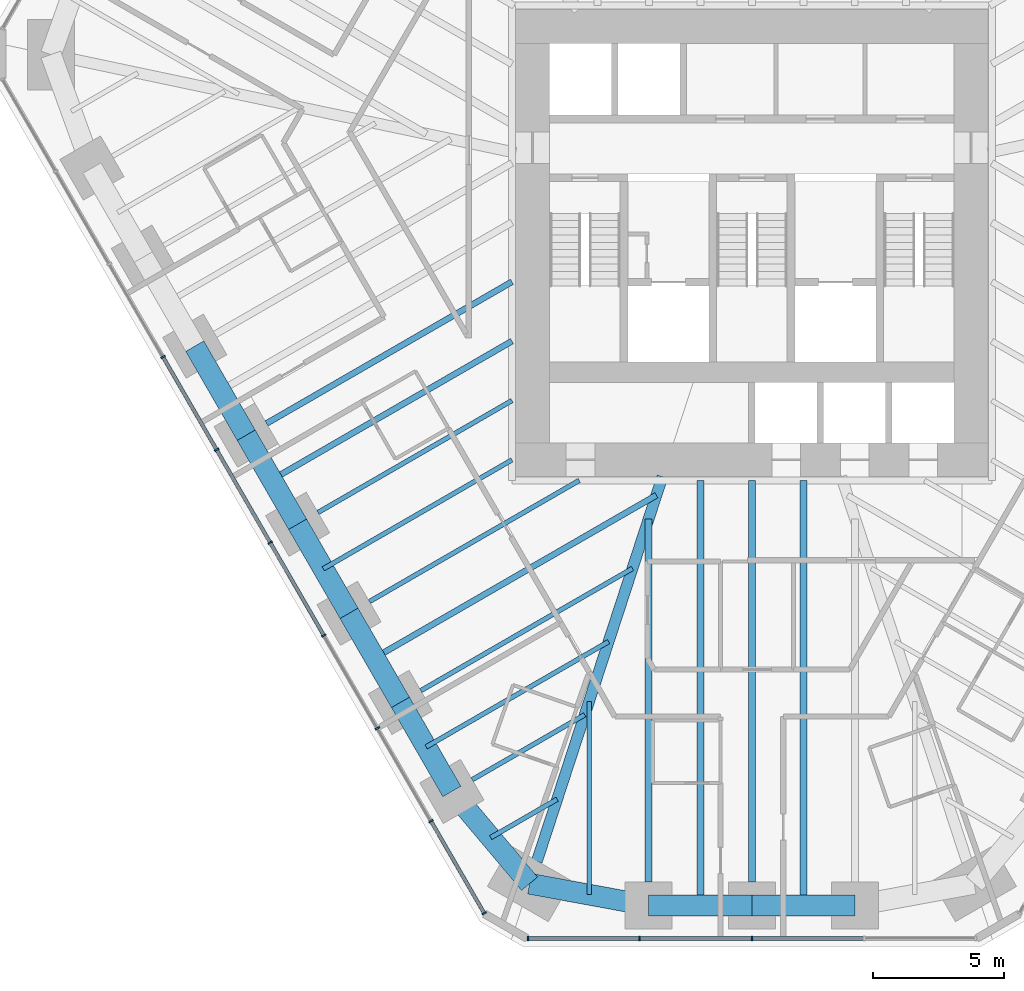
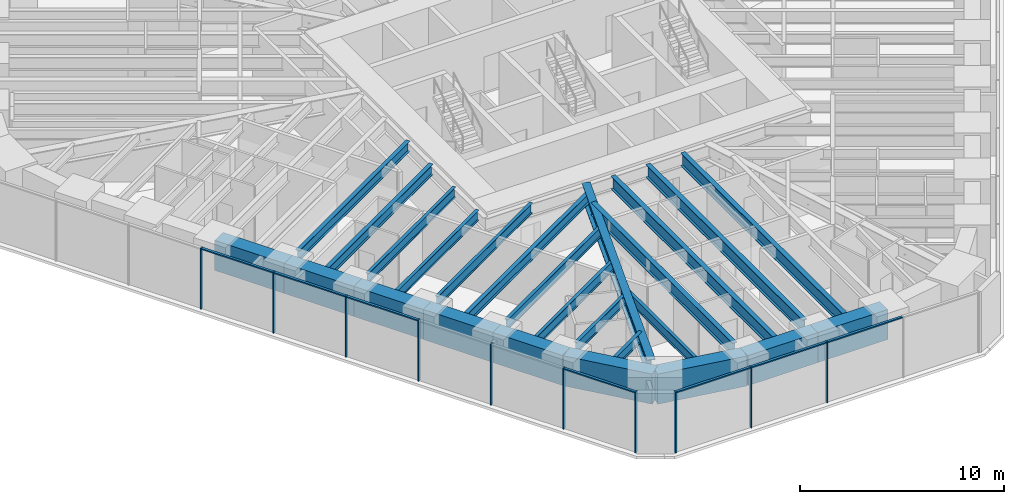
# One storey, part 2 of 16: 25 beams, 17 members, 2 elements without a shape of their own.
"""IFC4 building model written with IfcOpenShell, lengths in metres."""

import ifcopenshell
import ifcopenshell.guid

model = None  # the IFC model being written
_history = None  # IfcOwnerHistory: only IFC2X3 demands one
_inside = {}  # id of a spatial element -> (the spatial element, [elements in it])
_under = {}  # id of a project, library or spatial element -> (it, [spatial elements below it])
_declared = {}  # id of a project -> (the project, [libraries it declares])
_typed = {}  # id of a type object -> (the type object, [elements of that type])
_made_of = {}  # id of a material, layer set ... -> (it, [elements and type objects made of it])


def new_model(schema):
    """Start an empty IFC model of exactly this schema.

    Asked for "IFC4X3", IfcOpenShell would pick the latest addendum, in which some entities
    have other attributes; the version numbers below select the first issue.
    IFC2X3 requires an IfcOwnerHistory on every rooted entity: one is made here for all.
    """
    global model, _history
    if schema == "IFC4X3":
        model = ifcopenshell.file(schema_version=(4, 3, 0, 0))
    else:
        model = ifcopenshell.file(schema=schema)
    _inside.clear()
    _under.clear()
    _declared.clear()
    _typed.clear()
    _made_of.clear()
    _history = None
    if model.schema == "IFC2X3":
        org = make("IfcOrganization", Name="unknown")
        user = make(
            "IfcPersonAndOrganization",
            ThePerson=make("IfcPerson", FamilyName="unknown"),
            TheOrganization=org,
        )
        app = make(
            "IfcApplication",
            ApplicationDeveloper=org,
            Version="unknown",
            ApplicationFullName="unknown",
            ApplicationIdentifier="unknown",
        )
        _history = make(
            "IfcOwnerHistory",
            OwningUser=user,
            OwningApplication=app,
            ChangeAction="ADDED",
            CreationDate=0,
        )
    return model


def make(cls, **values):
    """One entity of the class cls with the attributes given. An attribute that is None is left unset."""
    return model.create_entity(
        cls, **{name: value for name, value in values.items() if value is not None}
    )


def rooted(cls, **values):
    """An entity with a GlobalId (a new one), such as an element, a storey or a relation."""
    return make(cls, GlobalId=ifcopenshell.guid.new(), OwnerHistory=_history, **values)


def si_unit(unit_type, name, prefix=None):
    """IfcSIUnit, for example si_unit("LENGTHUNIT", "METRE", prefix="MILLI")."""
    return make("IfcSIUnit", UnitType=unit_type, Prefix=prefix, Name=name)


def assignment(units):
    """IfcUnitAssignment: the units of a project."""
    return None if units is None else make("IfcUnitAssignment", Units=units)


def point(xyz):
    """IfcCartesianPoint."""
    return None if xyz is None else make("IfcCartesianPoint", Coordinates=xyz)


def direction(xyz):
    """IfcDirection."""
    return None if xyz is None else make("IfcDirection", DirectionRatios=xyz)


def frame(location, z_axis=None, x_axis=None):
    """IfcAxis2Placement3D, a coordinate frame: its origin and axes. An axis left out is left unset."""
    return make(
        "IfcAxis2Placement3D",
        Location=point(location),
        Axis=direction(z_axis),
        RefDirection=direction(x_axis),
    )


def frame_2d(location, x_axis=None):
    """IfcAxis2Placement2D, a coordinate frame in the plane: its origin and x axis."""
    return make(
        "IfcAxis2Placement2D", Location=point(location), RefDirection=direction(x_axis)
    )


def origin():
    """The frame at (0, 0, 0) with its axes left unset."""
    return frame((0.0, 0.0, 0.0))


def origin_2d():
    """The frame at (0, 0) in the plane with its x axis left unset."""
    return frame_2d((0.0, 0.0))


def place(relative_to, where):
    """IfcLocalPlacement: puts the frame where relative to a parent placement (None: the world)."""
    return make(
        "IfcLocalPlacement", PlacementRelTo=relative_to, RelativePlacement=where
    )


def context(
    kind, dimensions, precision=None, world=None, true_north=None, identifier=None
):
    """IfcGeometricRepresentationContext, for example the 3D "Model" context."""
    return make(
        "IfcGeometricRepresentationContext",
        ContextIdentifier=identifier,
        ContextType=kind,
        CoordinateSpaceDimension=dimensions,
        Precision=precision,
        WorldCoordinateSystem=world,
        TrueNorth=true_north,
    )


def subcontext(parent, identifier, kind, view, scale=None):
    """IfcGeometricRepresentationSubContext, for example "Body" below "Model"."""
    return make(
        "IfcGeometricRepresentationSubContext",
        ContextIdentifier=identifier,
        ContextType=kind,
        ParentContext=parent,
        TargetScale=scale,
        TargetView=view,
    )


def project(units=None, contexts=None):
    """IfcProject with its units and contexts."""
    return rooted(
        "IfcProject",
        Name="project",
        RepresentationContexts=contexts,
        UnitsInContext=assignment(units),
    )


def spatial(cls, under=None, at=None, **own):
    """A site, building, storey or space (cls), placed at a placement, below another one or the project."""
    s = rooted(cls, ObjectPlacement=at, **own)
    if under is not None:
        _under.setdefault(under.id(), (under, []))[1].append(s)
    return s


def profile(cls, at=None, kind="AREA", **sizes):
    """A parametric profile (cls). Its sizes go by their IFC names, for example OverallWidth=200.0."""
    return make(cls, ProfileType=kind, Position=at, **sizes)


def rectangle(**sizes):
    """IfcRectangleProfileDef."""
    return profile("IfcRectangleProfileDef", **sizes)


def i_section(**sizes):
    """IfcIShapeProfileDef."""
    return profile("IfcIShapeProfileDef", **sizes)


def extrude(swept, where, along, depth):
    """IfcExtrudedAreaSolid: the profile swept, set in the frame where, extruded along a direction by depth."""
    return make(
        "IfcExtrudedAreaSolid",
        SweptArea=swept,
        Position=where,
        ExtrudedDirection=direction(along),
        Depth=depth,
    )


def shape(context_of_items, identifier, shape_type, items):
    """IfcShapeRepresentation: the items that make up one representation, for example the "Body"."""
    return make(
        "IfcShapeRepresentation",
        ContextOfItems=context_of_items,
        RepresentationIdentifier=identifier,
        RepresentationType=shape_type,
        Items=items,
    )


def material(Name=None, Category=None):
    """IfcMaterial."""
    return make("IfcMaterial", Name=Name, Category=Category)


def material_profile(
    of_material, cross_section, Name=None, Category=None, Priority=None
):
    """IfcMaterialProfile: a cross section and its material."""
    return make(
        "IfcMaterialProfile",
        Name=Name,
        Material=of_material,
        Profile=cross_section,
        Priority=Priority,
        Category=Category,
    )


def profile_set(profiles, Name=None, composite=None):
    """IfcMaterialProfileSet."""
    return make(
        "IfcMaterialProfileSet",
        Name=Name,
        MaterialProfiles=profiles,
        CompositeProfile=composite,
    )


def made_of(thing, what):
    """Note that an element or type object is made of a material, layer set ...; save() writes the relation."""
    if what is not None:
        _made_of.setdefault(what.id(), (what, []))[1].append(thing)
    return thing


def type_object(cls, material=None, **own):
    """A type object (cls), such as IfcWallType, which elements share."""
    return made_of(rooted(cls, **own), material)


def element(
    cls,
    number,
    at=None,
    inside=None,
    cuts=None,
    type_object=None,
    material=None,
    context=None,
    identifier="Body",
    shape_type=None,
    held_by="IfcProductDefinitionShape",
    body=None,
    shapes=None,
    **own,
):
    """One element of the class cls, such as IfcWall. Its Tag is "e" and its number.

    at: its placement. inside: the storey or other place that contains it. cuts: it is an
    opening in that element (IfcRelVoidsElement). A single representation is given by context,
    identifier, shape_type and body (its items); several are given by shapes. held_by: the class
    of the entity that holds the representations. save() writes the other relations.
    """
    e = rooted(cls, Tag="e%d" % number, ObjectPlacement=at, **own)
    if body is not None:
        shapes = [shape(context, identifier, shape_type, body)]
    if shapes is not None:
        e.Representation = make(held_by, Representations=shapes)
    if inside is not None:
        _inside.setdefault(inside.id(), (inside, []))[1].append(e)
    if cuts is not None:
        rooted(
            "IfcRelVoidsElement", RelatingBuildingElement=cuts, RelatedOpeningElement=e
        )
    if type_object is not None:
        _typed.setdefault(type_object.id(), (type_object, []))[1].append(e)
    return made_of(e, material)


def aggregate(whole, parts):
    """IfcRelAggregates: a whole, such as a stair, and the parts it consists of."""
    return rooted("IfcRelAggregates", RelatingObject=whole, RelatedObjects=parts)


def save(model, path):
    """Write the relations noted so far, then the file.

    IfcRelAggregates (storeys below a building ...), IfcRelContainedInSpatialStructure (elements
    in a storey), IfcRelDefinesByType, IfcRelAssociatesMaterial and IfcRelDeclares: one each for
    every whole, place, type object, material and project.
    """
    for whole, parts in _under.values():
        aggregate(whole, parts)
    for where, things in _inside.values():
        rooted(
            "IfcRelContainedInSpatialStructure",
            RelatedElements=things,
            RelatingStructure=where,
        )
    for kind, things in _typed.values():
        rooted("IfcRelDefinesByType", RelatedObjects=things, RelatingType=kind)
    for what, things in _made_of.values():
        rooted("IfcRelAssociatesMaterial", RelatedObjects=things, RelatingMaterial=what)
    for by, libraries in _declared.values():
        rooted("IfcRelDeclares", RelatingContext=by, RelatedDefinitions=libraries)
    model.write(path)


model = new_model("IFC4")

# Units and contexts
model_context = context("Model", 3, precision=1e-05, world=origin(), true_north=direction((0.0, 1.0)))
body_context = subcontext(model_context, "Body", "Model", "MODEL_VIEW")
ifc_project = project(units=[si_unit("LENGTHUNIT", "METRE"), si_unit("AREAUNIT", "SQUARE_METRE"), si_unit("VOLUMEUNIT", "CUBIC_METRE"), si_unit("PLANEANGLEUNIT", "RADIAN"), si_unit("MASSUNIT", "GRAM", prefix="KILO")], contexts=[model_context])

# Site, building, storey
site_placement = place(None, origin())
site = spatial("IfcSite", under=ifc_project, at=site_placement, CompositionType="ELEMENT")
building_placement = place(site_placement, origin())
building = spatial("IfcBuilding", under=site, at=building_placement, Name="Sandreach Pilgrim Tower", CompositionType="ELEMENT")
storey_placement = place(building_placement, frame((0.0, 0.0, 134.800048828125)))
storey = spatial("IfcBuildingStorey", under=building, at=storey_placement, Name="L33", CompositionType="ELEMENT", Elevation=134.800048828125)

# Curtain wall, members
ifc_material_1 = material(Name="Aluminium framed curtain wall", Category="aluminium")
curtain_wall_type = type_object("IfcCurtainWallType", Name="Hotel tower curtain wall", PredefinedType="NOTDEFINED", material=ifc_material_1)
curtain_wall_1_placement = place(storey_placement, origin())
curtain_wall_1 = element("IfcCurtainWall", 1, at=curtain_wall_1_placement, inside=storey, type_object=curtain_wall_type, Name="CW-2 L33 S", PredefinedType="NOTDEFINED")
ifc_material_2 = material(Name="Aluminium extrusion", Category="aluminium")
ifc_material_profile_1 = material_profile(ifc_material_2, rectangle(XDim=0.06494140625, YDim=0.179931640625, at=origin_2d()), Name="CW-2M 65X180")
ifc_profile_set_1 = profile_set([ifc_material_profile_1], Name="Aluminium extrusion")
member_type_1 = type_object("IfcMemberType", Name="CW-2 mullion", PredefinedType="MULLION", material=ifc_profile_set_1)
member_1_placement = place(storey_placement, frame((0.0, -28.192138671875, 0.0), z_axis=(0.0, 0.0, 1.0), x_axis=(-1.0, 0.0, 0.0)))
member_1 = element("IfcMember", 2, at=member_1_placement, type_object=member_type_1, Name="CW-2 mullion 3", PredefinedType="MULLION", context=body_context, shape_type="SweptSolid", body=[
    extrude(rectangle(XDim=0.06494140625, YDim=0.179931640625, at=origin_2d()), origin(), (0.0, 0.0, 1.0), 3.639892578125),
])
member_2_placement = place(storey_placement, frame((-4.3056640625, -28.192138671875, 0.0), z_axis=(0.0, 0.0, 1.0), x_axis=(-1.0, 0.0, 0.0)))
member_2 = element("IfcMember", 3, at=member_2_placement, type_object=member_type_1, Name="CW-2 mullion 4", PredefinedType="MULLION", context=body_context, shape_type="SweptSolid", body=[
    extrude(rectangle(XDim=0.06494140625, YDim=0.179931640625, at=origin_2d()), origin(), (0.0, 0.0, 1.0), 3.639892578125),
])
member_3_placement = place(storey_placement, frame((-8.578857421875, -28.192138671875, 0.0), z_axis=(0.0, 0.0, 1.0), x_axis=(-1.0, 0.0, 0.0)))
member_3 = element("IfcMember", 4, at=member_3_placement, type_object=member_type_1, Name="CW-2 mullion 5", PredefinedType="MULLION", context=body_context, shape_type="SweptSolid", body=[
    extrude(rectangle(XDim=0.06494140625, YDim=0.179931640625, at=origin_2d()), origin(), (0.0, 0.0, 1.0), 3.639892578125),
])

curtain_wall_2_placement = place(storey_placement, origin())
curtain_wall_2 = element("IfcCurtainWall", 5, at=curtain_wall_2_placement, inside=storey, type_object=curtain_wall_type, Name="CW-2 L33 SW", PredefinedType="NOTDEFINED")
member_4_placement = place(storey_placement, frame((-10.255859375, -27.22412109375, 0.0), z_axis=(0.0, 0.0, 1.0), x_axis=(-0.5, 0.866025403784, 0.0)))
member_4 = element("IfcMember", 6, at=member_4_placement, type_object=member_type_1, Name="CW-2 mullion 1", PredefinedType="MULLION", context=body_context, shape_type="SweptSolid", body=[
    extrude(rectangle(XDim=0.06494140625, YDim=0.179931640625, at=origin_2d()), origin(), (0.0, 0.0, 1.0), 3.639892578125),
])
member_5_placement = place(storey_placement, frame((-12.29296875, -23.695556640625, 0.0), z_axis=(0.0, 0.0, 1.0), x_axis=(-0.5, 0.866025403784, 0.0)))
member_5 = element("IfcMember", 7, at=member_5_placement, type_object=member_type_1, Name="CW-2 mullion 2", PredefinedType="MULLION", context=body_context, shape_type="SweptSolid", body=[
    extrude(rectangle(XDim=0.06494140625, YDim=0.179931640625, at=origin_2d()), origin(), (0.0, 0.0, 1.0), 3.639892578125),
])
member_6_placement = place(storey_placement, frame((-14.346435546875, -20.138671875, 0.0), z_axis=(0.0, 0.0, 1.0), x_axis=(-0.5, 0.866025403784, 0.0)))
member_6 = element("IfcMember", 8, at=member_6_placement, type_object=member_type_1, Name="CW-2 mullion 3", PredefinedType="MULLION", context=body_context, shape_type="SweptSolid", body=[
    extrude(rectangle(XDim=0.06494140625, YDim=0.179931640625, at=origin_2d()), origin(), (0.0, 0.0, 1.0), 3.639892578125),
])
member_7_placement = place(storey_placement, frame((-16.39990234375, -16.58203125, 0.0), z_axis=(0.0, 0.0, 1.0), x_axis=(-0.5, 0.866025403784, 0.0)))
member_7 = element("IfcMember", 9, at=member_7_placement, type_object=member_type_1, Name="CW-2 mullion 4", PredefinedType="MULLION", context=body_context, shape_type="SweptSolid", body=[
    extrude(rectangle(XDim=0.06494140625, YDim=0.179931640625, at=origin_2d()), origin(), (0.0, 0.0, 1.0), 3.639892578125),
])
member_8_placement = place(storey_placement, frame((-18.453369140625, -13.025146484375, 0.0), z_axis=(0.0, 0.0, 1.0), x_axis=(-0.5, 0.866025403784, 0.0)))
member_8 = element("IfcMember", 10, at=member_8_placement, type_object=member_type_1, Name="CW-2 mullion 5", PredefinedType="MULLION", context=body_context, shape_type="SweptSolid", body=[
    extrude(rectangle(XDim=0.06494140625, YDim=0.179931640625, at=origin_2d()), origin(), (0.0, 0.0, 1.0), 3.639892578125),
])
member_9_placement = place(storey_placement, frame((-20.5068359375, -9.468505859375, 0.0), z_axis=(0.0, 0.0, 1.0), x_axis=(-0.5, 0.866025403784, 0.0)))
member_9 = element("IfcMember", 11, at=member_9_placement, type_object=member_type_1, Name="CW-2 mullion 6", PredefinedType="MULLION", context=body_context, shape_type="SweptSolid", body=[
    extrude(rectangle(XDim=0.06494140625, YDim=0.179931640625, at=origin_2d()), origin(), (0.0, 0.0, 1.0), 3.639892578125),
])
member_10_placement = place(storey_placement, frame((-22.560302734375, -5.911865234375, 0.0), z_axis=(0.0, 0.0, 1.0), x_axis=(-0.5, 0.866025403784, 0.0)))
member_10 = element("IfcMember", 12, at=member_10_placement, type_object=member_type_1, Name="CW-2 mullion 7", PredefinedType="MULLION", context=body_context, shape_type="SweptSolid", body=[
    extrude(rectangle(XDim=0.06494140625, YDim=0.179931640625, at=origin_2d()), origin(), (0.0, 0.0, 1.0), 3.639892578125),
])

# Member
ifc_material_3 = material(Name="Aluminium extrusion", Category="aluminium")
ifc_material_profile_2 = material_profile(ifc_material_3, rectangle(XDim=0.139892578125, YDim=0.070068359375, at=origin_2d()), Name="CW-2T 140X70")
ifc_profile_set_2 = profile_set([ifc_material_profile_2], Name="Aluminium extrusion")
member_type_2 = type_object("IfcMemberType", Name="CW-2 transom", PredefinedType="USERDEFINED", material=ifc_profile_set_2)
member_11_placement = place(storey_placement, frame((4.273193359375, -28.192138671875, 3.60498046875), z_axis=(-1.0, 0.0, 0.0), x_axis=(0.0, -1.0, 0.0)))
member_11 = element("IfcMember", 13, at=member_11_placement, type_object=member_type_2, Name="CW-2 head transom 2", ObjectType="TRANSOM", PredefinedType="USERDEFINED", context=body_context, shape_type="SweptSolid", body=[
    extrude(rectangle(XDim=0.139892578125, YDim=0.070068359375, at=origin_2d()), origin(), (0.0, 0.0, 1.0), 4.24072265625),
])

member_12_placement = place(storey_placement, frame((-0.032470703125, -28.192138671875, 3.60498046875), z_axis=(-1.0, 0.0, 0.0), x_axis=(0.0, -1.0, 0.0)))
member_12 = element("IfcMember", 14, at=member_12_placement, type_object=member_type_2, Name="CW-2 head transom 3", ObjectType="TRANSOM", PredefinedType="USERDEFINED", context=body_context, shape_type="SweptSolid", body=[
    extrude(rectangle(XDim=0.139892578125, YDim=0.070068359375, at=origin_2d()), origin(), (0.0, 0.0, 1.0), 4.24072265625),
])

member_13_placement = place(storey_placement, frame((-4.338134765625, -28.192138671875, 3.60498046875), z_axis=(-1.0, 0.0, 0.0), x_axis=(0.0, -1.0, 0.0)))
member_13 = element("IfcMember", 15, at=member_13_placement, type_object=member_type_2, Name="CW-2 head transom 4", ObjectType="TRANSOM", PredefinedType="USERDEFINED", context=body_context, shape_type="SweptSolid", body=[
    extrude(rectangle(XDim=0.139892578125, YDim=0.070068359375, at=origin_2d()), origin(), (0.0, 0.0, 1.0), 4.208251953125),
])

aggregate(curtain_wall_1, [member_1, member_2, member_3, member_11, member_12, member_13])

member_14_placement = place(storey_placement, frame((-10.27197265625, -27.196044921875, 3.60498046875), z_axis=(-0.500015851672, 0.866016251624, 0.0), x_axis=(-0.866016251624, -0.500015851672, 0.0)))
member_14 = element("IfcMember", 16, at=member_14_placement, type_object=member_type_2, Name="CW-2 head transom 1", ObjectType="TRANSOM", PredefinedType="USERDEFINED", context=body_context, shape_type="SweptSolid", body=[
    extrude(rectangle(XDim=0.139892578125, YDim=0.070068359375, at=origin_2d()), origin(), (0.0, 0.0, 1.0), 4.009521484375),
])

member_15_placement = place(storey_placement, frame((-16.416259765625, -16.553955078125, 3.60498046875), z_axis=(-0.499997818338, 0.866026663364, 0.0), x_axis=(-0.866026663364, -0.499997818338, 0.0)))
member_15 = element("IfcMember", 17, at=member_15_placement, type_object=member_type_2, Name="CW-2 head transom 4", ObjectType="TRANSOM", PredefinedType="USERDEFINED", context=body_context, shape_type="SweptSolid", body=[
    extrude(rectangle(XDim=0.139892578125, YDim=0.070068359375, at=origin_2d()), origin(), (0.0, 0.0, 1.0), 4.0419921875),
])

member_16_placement = place(storey_placement, frame((-18.4697265625, -12.9970703125, 3.60498046875), z_axis=(-0.499997818338, 0.866026663364, 0.0), x_axis=(-0.866026663364, -0.499997818338, 0.0)))
member_16 = element("IfcMember", 18, at=member_16_placement, type_object=member_type_2, Name="CW-2 head transom 5", ObjectType="TRANSOM", PredefinedType="USERDEFINED", context=body_context, shape_type="SweptSolid", body=[
    extrude(rectangle(XDim=0.139892578125, YDim=0.070068359375, at=origin_2d()), origin(), (0.0, 0.0, 1.0), 4.0419921875),
])

member_17_placement = place(storey_placement, frame((-20.523193359375, -9.4404296875, 3.60498046875), z_axis=(-0.499997818338, 0.866026663364, 0.0), x_axis=(-0.866026663364, -0.499997818338, 0.0)))
member_17 = element("IfcMember", 19, at=member_17_placement, type_object=member_type_2, Name="CW-2 head transom 6", ObjectType="TRANSOM", PredefinedType="USERDEFINED", context=body_context, shape_type="SweptSolid", body=[
    extrude(rectangle(XDim=0.139892578125, YDim=0.070068359375, at=origin_2d()), origin(), (0.0, 0.0, 1.0), 4.0419921875),
])

aggregate(curtain_wall_2, [member_4, member_5, member_6, member_7, member_8, member_9, member_10, member_14, member_15, member_16, member_17])

# Beams
ifc_material_4 = material(Name="Steel ASTM A992 Grade 50", Category="steel")
ifc_material_profile_3 = material_profile(ifc_material_4, i_section(OverallWidth=0.421630859375, OverallDepth=0.937255859375, WebThickness=0.0224609375, FlangeThickness=0.039794921875, at=origin_2d()), Name="W36X282")
ifc_profile_set_3 = profile_set([ifc_material_profile_3], Name="Steel ASTM A992 Grade 50")
beam_type_1 = type_object("IfcBeamType", Name="Corner girder W36X282", PredefinedType="BEAM", material=ifc_profile_set_3)
beam_1_placement = place(storey_placement, frame((-8.238525390625, -25.23876953125, 3.17138671875), z_axis=(0.310307109519, 0.950636364643, 0.0), x_axis=(-0.950636364643, 0.310307109519, 0.0)))
element("IfcBeam", 20, at=beam_1_placement, inside=storey, type_object=beam_type_1, Name="BM L33 CG26", PredefinedType="BEAM", context=body_context, shape_type="SweptSolid", body=[
    extrude(i_section(OverallWidth=0.421630859375, OverallDepth=0.937255859375, WebThickness=0.0224609375, FlangeThickness=0.039794921875, at=origin_2d()), origin(), (0.0, 0.0, 1.0), 15.504150390625),
])
ifc_material_5 = material(Name="Steel ASTM A992 Grade 50", Category="steel")
ifc_material_profile_4 = material_profile(ifc_material_5, i_section(OverallWidth=0.1787109375, OverallDepth=0.60205078125, WebThickness=0.010986328125, FlangeThickness=0.014892578125, at=origin_2d()), Name="W24X62")
ifc_profile_set_4 = profile_set([ifc_material_profile_4], Name="Steel ASTM A992 Grade 50")
beam_type_2 = type_object("IfcBeamType", Name="Floor beam W24X62", PredefinedType="BEAM", material=ifc_profile_set_4)
beam_2_placement = place(storey_placement, frame((-10.714599609375, -22.109130859375, 3.3388671875), z_axis=(0.866024645457, 0.500001313459, 0.0), x_axis=(-0.500001313459, 0.866024645457, 0.0)))
element("IfcBeam", 21, at=beam_2_placement, inside=storey, type_object=beam_type_2, Name="BM L33 F27", PredefinedType="BEAM", context=body_context, shape_type="SweptSolid", body=[
    extrude(i_section(OverallWidth=0.1787109375, OverallDepth=0.60205078125, WebThickness=0.010986328125, FlangeThickness=0.014892578125, at=origin_2d()), origin(), (0.0, 0.0, 1.0), 4.9765625),
])
beam_3_placement = place(storey_placement, frame((-12.6845703125, -18.697265625, 3.3388671875), z_axis=(0.866012351917, 0.500022605817, 0.0), x_axis=(-0.500022605817, 0.866012351917, 0.0)))
element("IfcBeam", 22, at=beam_3_placement, inside=storey, type_object=beam_type_2, Name="BM L33 F28", PredefinedType="BEAM", context=body_context, shape_type="SweptSolid", body=[
    extrude(i_section(OverallWidth=0.1787109375, OverallDepth=0.60205078125, WebThickness=0.010986328125, FlangeThickness=0.014892578125, at=origin_2d()), origin(), (0.0, 0.0, 1.0), 9.3642578125),
])
beam_4_placement = place(storey_placement, frame((-14.654541015625, -15.28515625, 3.3388671875), z_axis=(0.866015659929, 0.500016876472, 0.0), x_axis=(-0.500016876472, 0.866015659929, 0.0)))
element("IfcBeam", 23, at=beam_4_placement, inside=storey, type_object=beam_type_2, Name="BM L33 F29", PredefinedType="BEAM", context=body_context, shape_type="SweptSolid", body=[
    extrude(i_section(OverallWidth=0.1787109375, OverallDepth=0.60205078125, WebThickness=0.010986328125, FlangeThickness=0.014892578125, at=origin_2d()), origin(), (0.0, 0.0, 1.0), 9.283447265625),
])
beam_5_placement = place(storey_placement, frame((-16.62451171875, -11.873046875, 3.3388671875), z_axis=(0.866017857595, 0.500013070155, 0.0), x_axis=(-0.500013070155, 0.866017857595, 0.0)))
element("IfcBeam", 24, at=beam_5_placement, inside=storey, type_object=beam_type_2, Name="BM L33 F30", PredefinedType="BEAM", context=body_context, shape_type="SweptSolid", body=[
    extrude(i_section(OverallWidth=0.1787109375, OverallDepth=0.60205078125, WebThickness=0.010986328125, FlangeThickness=0.014892578125, at=origin_2d()), origin(), (0.0, 0.0, 1.0), 8.580810546875),
])
beam_6_placement = place(storey_placement, frame((-6.236572265625, -26.51318359375, 3.3388671875), z_axis=(0.0, 1.0, 0.0), x_axis=(-1.0, 0.0, 0.0)))
element("IfcBeam", 25, at=beam_6_placement, inside=storey, type_object=beam_type_2, Name="BM L33 FM25", PredefinedType="BEAM", context=body_context, shape_type="SweptSolid", body=[
    extrude(i_section(OverallWidth=0.1787109375, OverallDepth=0.60205078125, WebThickness=0.010986328125, FlangeThickness=0.014892578125, at=origin_2d()), origin(), (0.0, 0.0, 1.0), 7.40771484375),
])
beam_7_placement = place(storey_placement, frame((-10.006103515625, -24.326904296875, 3.3388671875), z_axis=(0.866015396618, 0.500017332519, 0.0), x_axis=(-0.500017332519, 0.866015396618, 0.0)))
element("IfcBeam", 26, at=beam_7_placement, inside=storey, type_object=beam_type_2, Name="BM L33 FM26", PredefinedType="BEAM", context=body_context, shape_type="SweptSolid", body=[
    extrude(i_section(OverallWidth=0.1787109375, OverallDepth=0.60205078125, WebThickness=0.010986328125, FlangeThickness=0.014892578125, at=origin_2d()), origin(), (0.0, 0.0, 1.0), 2.9384765625),
])
beam_8_placement = place(storey_placement, frame((-12.47900390625, -20.853271484375, 3.3388671875), z_axis=(0.866017328257, 0.500013986963, 0.0), x_axis=(-0.500013986963, 0.866017328257, 0.0)))
element("IfcBeam", 27, at=beam_8_placement, inside=storey, type_object=beam_type_2, Name="BM L33 FM27", PredefinedType="BEAM", context=body_context, shape_type="SweptSolid", body=[
    extrude(i_section(OverallWidth=0.1787109375, OverallDepth=0.60205078125, WebThickness=0.010986328125, FlangeThickness=0.014892578125, at=origin_2d()), origin(), (0.0, 0.0, 1.0), 8.070556640625),
])
beam_9_placement = place(storey_placement, frame((-16.4189453125, -14.029052734375, 3.3388671875), z_axis=(0.866016009309, 0.500016271356, 0.0), x_axis=(-0.500016271356, 0.866016009309, 0.0)))
element("IfcBeam", 28, at=beam_9_placement, inside=storey, type_object=beam_type_2, Name="BM L33 FM29", PredefinedType="BEAM", context=body_context, shape_type="SweptSolid", body=[
    extrude(i_section(OverallWidth=0.1787109375, OverallDepth=0.60205078125, WebThickness=0.010986328125, FlangeThickness=0.014892578125, at=origin_2d()), origin(), (0.0, 0.0, 1.0), 8.343505859375),
])
ifc_material_6 = material(Name="Steel ASTM A992 Grade 50", Category="steel")
ifc_material_profile_5 = material_profile(ifc_material_6, i_section(OverallWidth=0.23046875, OverallDepth=0.6171875, WebThickness=0.01318359375, FlangeThickness=0.022216796875, at=origin_2d()), Name="W24X94")
ifc_profile_set_5 = profile_set([ifc_material_profile_5], Name="Steel ASTM A992 Grade 50")
beam_type_3 = type_object("IfcBeamType", Name="Floor beam W24X94", PredefinedType="BEAM", material=ifc_profile_set_5)
beam_10_placement = place(storey_placement, frame((-18.594482421875, -8.4609375, 3.331298828125), z_axis=(0.866015926388, 0.500016414973, 0.0), x_axis=(-0.500016414973, 0.866015926388, 0.0)))
element("IfcBeam", 29, at=beam_10_placement, inside=storey, type_object=beam_type_3, Name="BM L33 F31", PredefinedType="BEAM", context=body_context, shape_type="SweptSolid", body=[
    extrude(i_section(OverallWidth=0.23046875, OverallDepth=0.6171875, WebThickness=0.01318359375, FlangeThickness=0.022216796875, at=origin_2d()), origin(), (0.0, 0.0, 1.0), 10.855712890625),
])
beam_11_placement = place(storey_placement, frame((-14.448974609375, -17.441162109375, 3.331298828125), z_axis=(0.866019150617, 0.500010830648, 0.0), x_axis=(-0.500010830648, 0.866019150617, 0.0)))
element("IfcBeam", 30, at=beam_11_placement, inside=storey, type_object=beam_type_3, Name="BM L33 FM28", PredefinedType="BEAM", context=body_context, shape_type="SweptSolid", body=[
    extrude(i_section(OverallWidth=0.23046875, OverallDepth=0.6171875, WebThickness=0.01318359375, FlangeThickness=0.022216796875, at=origin_2d()), origin(), (0.0, 0.0, 1.0), 12.458251953125),
])
beam_12_placement = place(storey_placement, frame((-18.388916015625, -10.616943359375, 3.331298828125), z_axis=(0.866024387147, 0.500001760863, 0.0), x_axis=(-0.500001760863, 0.866024387147, 0.0)))
element("IfcBeam", 31, at=beam_12_placement, inside=storey, type_object=beam_type_3, Name="BM L33 FM30", PredefinedType="BEAM", context=body_context, shape_type="SweptSolid", body=[
    extrude(i_section(OverallWidth=0.23046875, OverallDepth=0.6171875, WebThickness=0.01318359375, FlangeThickness=0.022216796875, at=origin_2d()), origin(), (0.0, 0.0, 1.0), 10.6181640625),
])
ifc_material_7 = material(Name="Steel ASTM A992 Grade 50", Category="steel")
ifc_material_profile_6 = material_profile(ifc_material_7, i_section(OverallWidth=0.2666015625, OverallDepth=0.761962890625, WebThickness=0.014404296875, FlangeThickness=0.021484375, at=origin_2d()), Name="W30X116")
ifc_profile_set_6 = profile_set([ifc_material_profile_6], Name="Steel ASTM A992 Grade 50")
beam_type_4 = type_object("IfcBeamType", Name="Floor beam W30X116", PredefinedType="BEAM", material=ifc_profile_set_6)
beam_13_placement = place(storey_placement, frame((-3.955322265625, -26.0322265625, 3.259033203125), z_axis=(0.0, 1.0, 0.0), x_axis=(-1.0, 0.0, 0.0)))
element("IfcBeam", 32, at=beam_13_placement, inside=storey, type_object=beam_type_4, Name="BM L33 F25", PredefinedType="BEAM", context=body_context, shape_type="SweptSolid", body=[
    extrude(i_section(OverallWidth=0.2666015625, OverallDepth=0.761962890625, WebThickness=0.014404296875, FlangeThickness=0.021484375, at=origin_2d()), origin(), (0.0, 0.0, 1.0), 13.91552734375),
])
ifc_material_8 = material(Name="Steel ASTM A992 Grade 50", Category="steel")
ifc_material_profile_7 = material_profile(ifc_material_8, i_section(OverallWidth=0.2666015625, OverallDepth=0.77978515625, WebThickness=0.0166015625, FlangeThickness=0.030029296875, at=origin_2d()), Name="W30X148")
ifc_profile_set_7 = profile_set([ifc_material_profile_7], Name="Steel ASTM A992 Grade 50")
beam_type_5 = type_object("IfcBeamType", Name="Floor beam W30X148", PredefinedType="BEAM", material=ifc_profile_set_7)
beam_14_placement = place(storey_placement, frame((0.0, -26.0322265625, 3.25), z_axis=(0.0, 1.0, 0.0), x_axis=(-1.0, 0.0, 0.0)))
element("IfcBeam", 33, at=beam_14_placement, inside=storey, type_object=beam_type_5, Name="BM L33 F24", PredefinedType="BEAM", context=body_context, shape_type="SweptSolid", body=[
    extrude(i_section(OverallWidth=0.2666015625, OverallDepth=0.77978515625, WebThickness=0.0166015625, FlangeThickness=0.030029296875, at=origin_2d()), origin(), (0.0, 0.0, 1.0), 15.388916015625),
])
for number, where, z_axis, x_axis, name in (
    (34, (1.9775390625, -26.93212890625, 3.25), (0.0, 1.0, 0.0), (-1.0, 0.0, 0.0), "BM L33 FM23"),
    (35, (-1.9775390625, -26.93212890625, 3.25), (0.0, 1.0, 0.0), (-1.0, 0.0, 0.0), "BM L33 FM24"),
):
    element("IfcBeam", number, at=place(storey_placement, frame(where, z_axis=z_axis, x_axis=x_axis)), inside=storey, type_object=beam_type_5, Name=name, PredefinedType="BEAM", context=body_context, shape_type="SweptSolid", body=[
        extrude(i_section(OverallWidth=0.2666015625, OverallDepth=0.77978515625, WebThickness=0.0166015625, FlangeThickness=0.030029296875, at=origin_2d()), origin(), (0.0, 0.0, 1.0), 16.288818359375),
    ])
ifc_material_9 = material(Name="Concrete 10000 psi", Category="concrete")
ifc_material_profile_8 = material_profile(ifc_material_9, rectangle(XDim=0.800048828125, YDim=1.800048828125, at=origin_2d()), Name="RC800X1800")
ifc_profile_set_8 = profile_set([ifc_material_profile_8], Name="Concrete 10000 psi")
beam_type_6 = type_object("IfcBeamType", Name="Spandrel beam RC800X1800", PredefinedType="SPANDREL", material=ifc_profile_set_8)
for number, where, z_axis, x_axis, name in (
    (36, (3.955322265625, -26.93212890625, 2.739990234375), (-1.0, 0.0, 0.0), (0.0, -1.0, 0.0), "BM L33 SP23"),
    (37, (0.0, -26.93212890625, 2.739990234375), (-1.0, 0.0, 0.0), (0.0, -1.0, 0.0), "BM L33 SP24"),
):
    element("IfcBeam", number, at=place(storey_placement, frame(where, z_axis=z_axis, x_axis=x_axis)), inside=storey, type_object=beam_type_6, Name=name, PredefinedType="SPANDREL", context=body_context, shape_type="SweptSolid", body=[
        extrude(rectangle(XDim=0.800048828125, YDim=1.800048828125, at=origin_2d()), origin(), (0.0, 0.0, 1.0), 3.955322265625),
    ])
beam_15_placement = place(storey_placement, frame((-3.955322265625, -26.93212890625, 2.739990234375), z_axis=(-0.983551746136, 0.180626583516, 0.0), x_axis=(-0.180626583516, -0.983551746136, 0.0)))
element("IfcBeam", 38, at=beam_15_placement, inside=storey, type_object=beam_type_6, Name="BM L33 SP25", PredefinedType="SPANDREL", context=body_context, shape_type="SweptSolid", body=[
    extrude(rectangle(XDim=0.800048828125, YDim=1.800048828125, at=origin_2d()), origin(), (0.0, 0.0, 1.0), 4.638916015625),
])
beam_16_placement = place(storey_placement, frame((-8.517822265625, -26.09423828125, 2.739990234375), z_axis=(-0.644078801547, 0.764959147535, 0.0), x_axis=(-0.764959147535, -0.644078801547, 0.0)))
element("IfcBeam", 39, at=beam_16_placement, inside=storey, type_object=beam_type_6, Name="BM L33 SP26", PredefinedType="SPANDREL", context=body_context, shape_type="SweptSolid", body=[
    extrude(rectangle(XDim=0.800048828125, YDim=1.800048828125, at=origin_2d()), origin(), (0.0, 0.0, 1.0), 4.62109375),
])
for number, where, z_axis, x_axis, name in (
    (40, (-11.494140625, -22.559326171875, 2.739990234375), (-0.49999779889, 0.866026674592, 0.0), (-0.866026674592, -0.49999779889, 0.0), "BM L33 SP27"),
    (41, (-13.464111328125, -19.147216796875, 2.739990234375), (-0.49999779889, 0.866026674592, 0.0), (-0.866026674592, -0.49999779889, 0.0), "BM L33 SP28"),
    (42, (-15.43408203125, -15.735107421875, 2.739990234375), (-0.49999779889, 0.866026674592, 0.0), (-0.866026674592, -0.49999779889, 0.0), "BM L33 SP29"),
    (43, (-17.404052734375, -12.322998046875, 2.739990234375), (-0.49999779889, 0.866026674592, 0.0), (-0.866026674592, -0.49999779889, 0.0), "BM L33 SP30"),
    (44, (-19.3740234375, -8.910888671875, 2.739990234375), (-0.49999779889, 0.866026674592, 0.0), (-0.866026674592, -0.49999779889, 0.0), "BM L33 SP31"),
):
    element("IfcBeam", number, at=place(storey_placement, frame(where, z_axis=z_axis, x_axis=x_axis)), inside=storey, type_object=beam_type_6, Name=name, PredefinedType="SPANDREL", context=body_context, shape_type="SweptSolid", body=[
        extrude(rectangle(XDim=0.800048828125, YDim=1.800048828125, at=origin_2d()), origin(), (0.0, 0.0, 1.0), 3.93994140625),
    ])

save(model, "model.ifc")
